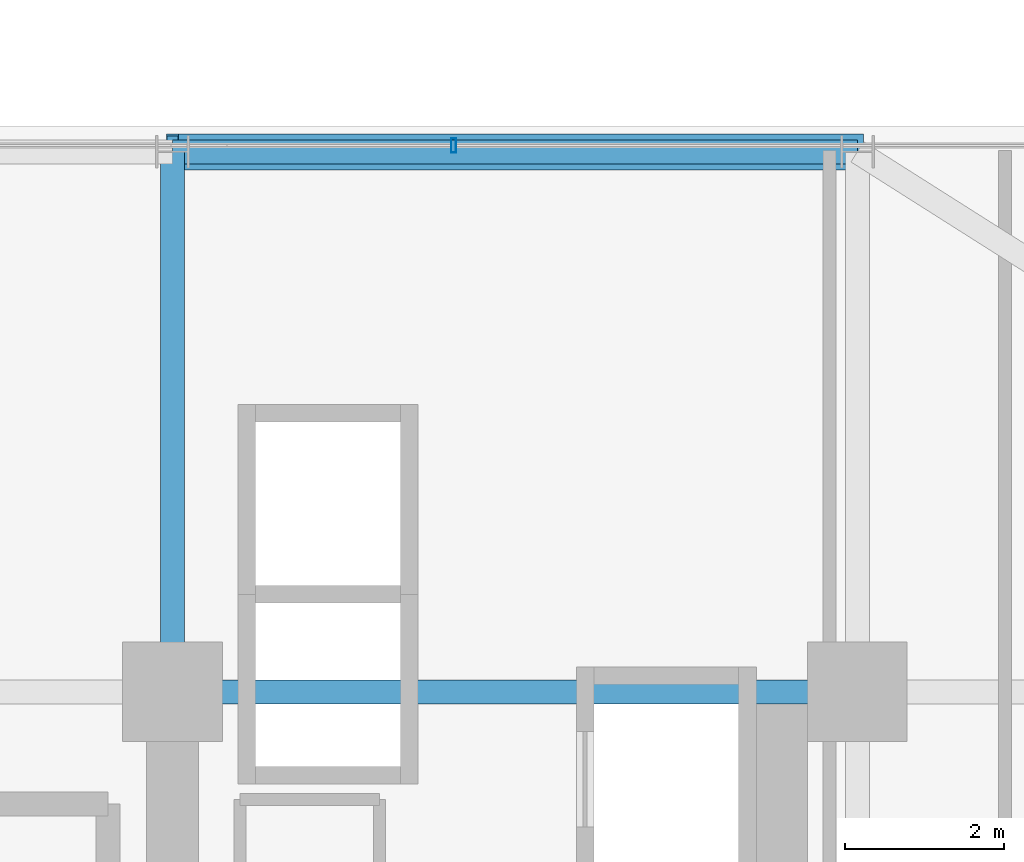
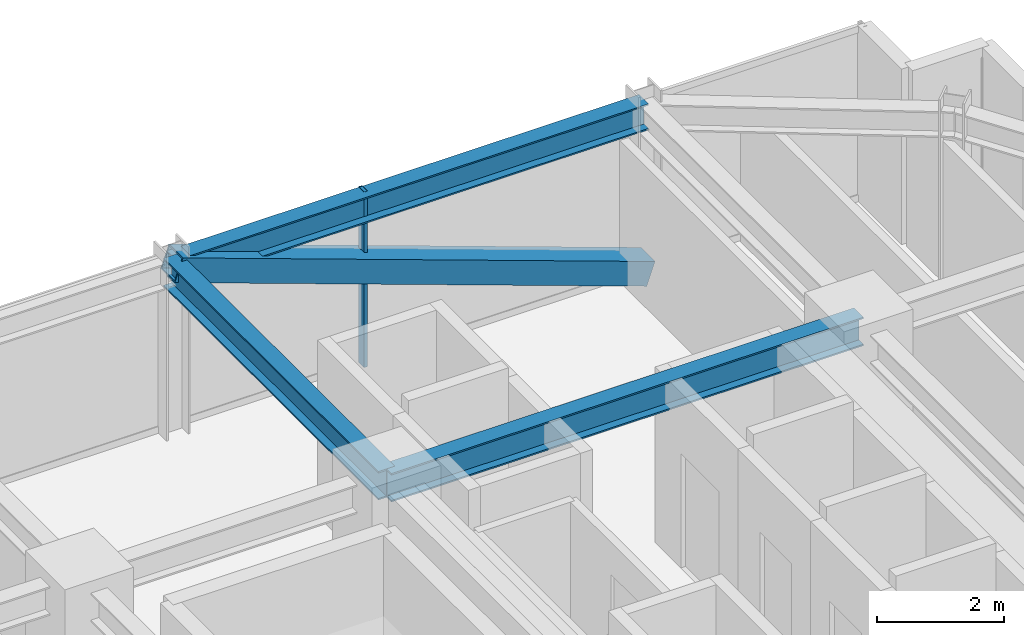
# One storey, part 24 of 41: 3 beams, 2 members, 1 element without a shape of its own.
"""IFC4 building model written with IfcOpenShell, lengths in metres."""

import ifcopenshell
import ifcopenshell.guid

model = None  # the IFC model being written
_history = None  # IfcOwnerHistory: only IFC2X3 demands one
_inside = {}  # id of a spatial element -> (the spatial element, [elements in it])
_under = {}  # id of a project, library or spatial element -> (it, [spatial elements below it])
_declared = {}  # id of a project -> (the project, [libraries it declares])
_typed = {}  # id of a type object -> (the type object, [elements of that type])
_made_of = {}  # id of a material, layer set ... -> (it, [elements and type objects made of it])


def new_model(schema):
    """Start an empty IFC model of exactly this schema.

    Asked for "IFC4X3", IfcOpenShell would pick the latest addendum, in which some entities
    have other attributes; the version numbers below select the first issue.
    IFC2X3 requires an IfcOwnerHistory on every rooted entity: one is made here for all.
    """
    global model, _history
    if schema == "IFC4X3":
        model = ifcopenshell.file(schema_version=(4, 3, 0, 0))
    else:
        model = ifcopenshell.file(schema=schema)
    _inside.clear()
    _under.clear()
    _declared.clear()
    _typed.clear()
    _made_of.clear()
    _history = None
    if model.schema == "IFC2X3":
        org = make("IfcOrganization", Name="unknown")
        user = make(
            "IfcPersonAndOrganization",
            ThePerson=make("IfcPerson", FamilyName="unknown"),
            TheOrganization=org,
        )
        app = make(
            "IfcApplication",
            ApplicationDeveloper=org,
            Version="unknown",
            ApplicationFullName="unknown",
            ApplicationIdentifier="unknown",
        )
        _history = make(
            "IfcOwnerHistory",
            OwningUser=user,
            OwningApplication=app,
            ChangeAction="ADDED",
            CreationDate=0,
        )
    return model


def make(cls, **values):
    """One entity of the class cls with the attributes given. An attribute that is None is left unset."""
    return model.create_entity(
        cls, **{name: value for name, value in values.items() if value is not None}
    )


def rooted(cls, **values):
    """An entity with a GlobalId (a new one), such as an element, a storey or a relation."""
    return make(cls, GlobalId=ifcopenshell.guid.new(), OwnerHistory=_history, **values)


def si_unit(unit_type, name, prefix=None):
    """IfcSIUnit, for example si_unit("LENGTHUNIT", "METRE", prefix="MILLI")."""
    return make("IfcSIUnit", UnitType=unit_type, Prefix=prefix, Name=name)


def assignment(units):
    """IfcUnitAssignment: the units of a project."""
    return None if units is None else make("IfcUnitAssignment", Units=units)


def point(xyz):
    """IfcCartesianPoint."""
    return None if xyz is None else make("IfcCartesianPoint", Coordinates=xyz)


def direction(xyz):
    """IfcDirection."""
    return None if xyz is None else make("IfcDirection", DirectionRatios=xyz)


def frame(location, z_axis=None, x_axis=None):
    """IfcAxis2Placement3D, a coordinate frame: its origin and axes. An axis left out is left unset."""
    return make(
        "IfcAxis2Placement3D",
        Location=point(location),
        Axis=direction(z_axis),
        RefDirection=direction(x_axis),
    )


def frame_2d(location, x_axis=None):
    """IfcAxis2Placement2D, a coordinate frame in the plane: its origin and x axis."""
    return make(
        "IfcAxis2Placement2D", Location=point(location), RefDirection=direction(x_axis)
    )


def origin():
    """The frame at (0, 0, 0) with its axes left unset."""
    return frame((0.0, 0.0, 0.0))


def origin_2d():
    """The frame at (0, 0) in the plane with its x axis left unset."""
    return frame_2d((0.0, 0.0))


def place(relative_to, where):
    """IfcLocalPlacement: puts the frame where relative to a parent placement (None: the world)."""
    return make(
        "IfcLocalPlacement", PlacementRelTo=relative_to, RelativePlacement=where
    )


def context(
    kind, dimensions, precision=None, world=None, true_north=None, identifier=None
):
    """IfcGeometricRepresentationContext, for example the 3D "Model" context."""
    return make(
        "IfcGeometricRepresentationContext",
        ContextIdentifier=identifier,
        ContextType=kind,
        CoordinateSpaceDimension=dimensions,
        Precision=precision,
        WorldCoordinateSystem=world,
        TrueNorth=true_north,
    )


def subcontext(parent, identifier, kind, view, scale=None):
    """IfcGeometricRepresentationSubContext, for example "Body" below "Model"."""
    return make(
        "IfcGeometricRepresentationSubContext",
        ContextIdentifier=identifier,
        ContextType=kind,
        ParentContext=parent,
        TargetScale=scale,
        TargetView=view,
    )


def project(units=None, contexts=None):
    """IfcProject with its units and contexts."""
    return rooted(
        "IfcProject",
        Name="project",
        RepresentationContexts=contexts,
        UnitsInContext=assignment(units),
    )


def spatial(cls, under=None, at=None, **own):
    """A site, building, storey or space (cls), placed at a placement, below another one or the project."""
    s = rooted(cls, ObjectPlacement=at, **own)
    if under is not None:
        _under.setdefault(under.id(), (under, []))[1].append(s)
    return s


def profile(cls, at=None, kind="AREA", **sizes):
    """A parametric profile (cls). Its sizes go by their IFC names, for example OverallWidth=200.0."""
    return make(cls, ProfileType=kind, Position=at, **sizes)


def hollow_rectangle(**sizes):
    """IfcRectangleHollowProfileDef."""
    return profile("IfcRectangleHollowProfileDef", **sizes)


def i_section(**sizes):
    """IfcIShapeProfileDef."""
    return profile("IfcIShapeProfileDef", **sizes)


def extrude(swept, where, along, depth):
    """IfcExtrudedAreaSolid: the profile swept, set in the frame where, extruded along a direction by depth."""
    return make(
        "IfcExtrudedAreaSolid",
        SweptArea=swept,
        Position=where,
        ExtrudedDirection=direction(along),
        Depth=depth,
    )


def shape(context_of_items, identifier, shape_type, items):
    """IfcShapeRepresentation: the items that make up one representation, for example the "Body"."""
    return make(
        "IfcShapeRepresentation",
        ContextOfItems=context_of_items,
        RepresentationIdentifier=identifier,
        RepresentationType=shape_type,
        Items=items,
    )


def source(mapping_origin, context_of_items, identifier, shape_type, items):
    """IfcRepresentationMap: a shape defined once, which mapped items show again and again."""
    return make(
        "IfcRepresentationMap",
        MappingOrigin=mapping_origin,
        MappedRepresentation=shape(context_of_items, identifier, shape_type, items),
    )


def transform(
    local_origin,
    x_axis=None,
    y_axis=None,
    z_axis=None,
    scale=None,
    scale2=None,
    scale3=None,
    uniform=True,
):
    """IfcCartesianTransformationOperator3D, or its non-uniform kind. x_axis, y_axis, z_axis: its Axis1, 2, 3."""
    if uniform:
        return make(
            "IfcCartesianTransformationOperator3D",
            Axis1=direction(x_axis),
            Axis2=direction(y_axis),
            LocalOrigin=point(local_origin),
            Scale=scale,
            Axis3=direction(z_axis),
        )
    return make(
        "IfcCartesianTransformationOperator3DnonUniform",
        Axis1=direction(x_axis),
        Axis2=direction(y_axis),
        LocalOrigin=point(local_origin),
        Scale=scale,
        Axis3=direction(z_axis),
        Scale2=scale2,
        Scale3=scale3,
    )


def mapped(mapping_source, mapping_target):
    """IfcMappedItem: shows the shape of a source again, moved by a transform."""
    return make(
        "IfcMappedItem", MappingSource=mapping_source, MappingTarget=mapping_target
    )


def material(Name=None, Category=None):
    """IfcMaterial."""
    return make("IfcMaterial", Name=Name, Category=Category)


def material_profile(
    of_material, cross_section, Name=None, Category=None, Priority=None
):
    """IfcMaterialProfile: a cross section and its material."""
    return make(
        "IfcMaterialProfile",
        Name=Name,
        Material=of_material,
        Profile=cross_section,
        Priority=Priority,
        Category=Category,
    )


def profile_set(profiles, Name=None, composite=None):
    """IfcMaterialProfileSet."""
    return make(
        "IfcMaterialProfileSet",
        Name=Name,
        MaterialProfiles=profiles,
        CompositeProfile=composite,
    )


def made_of(thing, what):
    """Note that an element or type object is made of a material, layer set ...; save() writes the relation."""
    if what is not None:
        _made_of.setdefault(what.id(), (what, []))[1].append(thing)
    return thing


def type_object(cls, material=None, **own):
    """A type object (cls), such as IfcWallType, which elements share."""
    return made_of(rooted(cls, **own), material)


def element(
    cls,
    number,
    at=None,
    inside=None,
    cuts=None,
    type_object=None,
    material=None,
    context=None,
    identifier="Body",
    shape_type=None,
    held_by="IfcProductDefinitionShape",
    body=None,
    shapes=None,
    **own,
):
    """One element of the class cls, such as IfcWall. Its Tag is "e" and its number.

    at: its placement. inside: the storey or other place that contains it. cuts: it is an
    opening in that element (IfcRelVoidsElement). A single representation is given by context,
    identifier, shape_type and body (its items); several are given by shapes. held_by: the class
    of the entity that holds the representations. save() writes the other relations.
    """
    e = rooted(cls, Tag="e%d" % number, ObjectPlacement=at, **own)
    if body is not None:
        shapes = [shape(context, identifier, shape_type, body)]
    if shapes is not None:
        e.Representation = make(held_by, Representations=shapes)
    if inside is not None:
        _inside.setdefault(inside.id(), (inside, []))[1].append(e)
    if cuts is not None:
        rooted(
            "IfcRelVoidsElement", RelatingBuildingElement=cuts, RelatedOpeningElement=e
        )
    if type_object is not None:
        _typed.setdefault(type_object.id(), (type_object, []))[1].append(e)
    return made_of(e, material)


def aggregate(whole, parts):
    """IfcRelAggregates: a whole, such as a stair, and the parts it consists of."""
    return rooted("IfcRelAggregates", RelatingObject=whole, RelatedObjects=parts)


def save(model, path):
    """Write the relations noted so far, then the file.

    IfcRelAggregates (storeys below a building ...), IfcRelContainedInSpatialStructure (elements
    in a storey), IfcRelDefinesByType, IfcRelAssociatesMaterial and IfcRelDeclares: one each for
    every whole, place, type object, material and project.
    """
    for whole, parts in _under.values():
        aggregate(whole, parts)
    for where, things in _inside.values():
        rooted(
            "IfcRelContainedInSpatialStructure",
            RelatedElements=things,
            RelatingStructure=where,
        )
    for kind, things in _typed.values():
        rooted("IfcRelDefinesByType", RelatedObjects=things, RelatingType=kind)
    for what, things in _made_of.values():
        rooted("IfcRelAssociatesMaterial", RelatedObjects=things, RelatingMaterial=what)
    for by, libraries in _declared.values():
        rooted("IfcRelDeclares", RelatingContext=by, RelatedDefinitions=libraries)
    model.write(path)


model = new_model("IFC4")

# Units and contexts
model_context = context("Model", 3, precision=1e-05, world=origin(), true_north=direction((0.0, 1.0)))
body_context = subcontext(model_context, "Body", "Model", "MODEL_VIEW")
ifc_project = project(units=[si_unit("LENGTHUNIT", "METRE"), si_unit("AREAUNIT", "SQUARE_METRE"), si_unit("VOLUMEUNIT", "CUBIC_METRE"), si_unit("PLANEANGLEUNIT", "RADIAN"), si_unit("MASSUNIT", "GRAM", prefix="KILO")], contexts=[model_context])

# Site, building, storey
site_placement = place(None, origin())
site = spatial("IfcSite", under=ifc_project, at=site_placement, CompositionType="ELEMENT")
building_placement = place(site_placement, origin())
building = spatial("IfcBuilding", under=site, at=building_placement, Name="Nahalor Promenade Grand Hotel", CompositionType="ELEMENT")
storey_placement = place(building_placement, frame((0.0, 0.0, 113.85009765625)))
storey = spatial("IfcBuildingStorey", under=building, at=storey_placement, Name="L28", CompositionType="ELEMENT", Elevation=113.85009765625)

# Beams
ifc_material_1 = material(Name="Steel S355JR", Category="steel")
ifc_material_profile_1 = material_profile(ifc_material_1, i_section(OverallWidth=0.3, OverallDepth=0.5, WebThickness=0.0145, FlangeThickness=0.028, at=origin_2d()), Name="HEB 500")
ifc_profile_set_1 = profile_set([ifc_material_profile_1], Name="Steel S355JR")
beam_type_1 = type_object("IfcBeamType", Name="Beam-Spandrel-HEB500", PredefinedType="SPANDREL", material=ifc_profile_set_1)
shared_shape_1 = source(origin(), body_context, "Body", "SweptSolid", [
    extrude(i_section(OverallWidth=0.3, OverallDepth=0.5, WebThickness=0.0145, FlangeThickness=0.028, at=origin_2d()), origin(), (0.0, 0.0, 1.0), 8.60009765625),
])
beam_1_placement = place(storey_placement, frame((8.39990234375, 23.780029296875, 3.1298828125), z_axis=(1.0, 0.0, 0.0), x_axis=(0.0, 1.0, 0.0)))
element("IfcBeam", 1, at=beam_1_placement, inside=storey, type_object=beam_type_1, Name="BM-L28-SP-N-4", PredefinedType="SPANDREL", context=body_context, shape_type="MappedRepresentation", body=[
    mapped(shared_shape_1, transform((0.0, 0.0, 0.0), scale=1.0)),
])
ifc_material_profile_2 = material_profile(ifc_material_1, i_section(OverallWidth=0.3, OverallDepth=0.55, WebThickness=0.015, FlangeThickness=0.029, at=origin_2d()), Name="HEB 550")
ifc_profile_set_2 = profile_set([ifc_material_profile_2], Name="Steel S355JR")
beam_type_2 = type_object("IfcBeamType", Name="Beam-Girder-HEB550", PredefinedType="BEAM", material=ifc_profile_set_2)
shared_shape_2 = source(origin(), body_context, "Body", "SweptSolid", [
    extrude(i_section(OverallWidth=0.3, OverallDepth=0.55, WebThickness=0.015, FlangeThickness=0.029, at=origin_2d()), origin(), (0.0, 0.0, 1.0), 6.780029296875),
])
beam_2_placement = place(storey_placement, frame((8.39990234375, 17.0, 3.10498046875), z_axis=(0.0, 1.0, 0.0), x_axis=(-1.0, 0.0, 0.0)))
element("IfcBeam", 2, at=beam_2_placement, inside=storey, type_object=beam_type_2, Name="BM-L28-GY-4-4", PredefinedType="BEAM", context=body_context, shape_type="MappedRepresentation", body=[
    mapped(shared_shape_2, transform((0.0, 0.0, 0.0), scale=1.0)),
])
shared_shape_3 = source(origin(), body_context, "Body", "SweptSolid", [
    extrude(i_section(OverallWidth=0.3, OverallDepth=0.55, WebThickness=0.015, FlangeThickness=0.029, at=origin_2d()), origin(), (0.0, 0.0, 1.0), 8.60009765625),
])
beam_3_placement = place(storey_placement, frame((8.39990234375, 17.0, 3.10498046875), z_axis=(1.0, 0.0, 0.0), x_axis=(0.0, 1.0, 0.0)))
element("IfcBeam", 3, at=beam_3_placement, inside=storey, type_object=beam_type_2, Name="BM-L28-GX-3-5", PredefinedType="BEAM", context=body_context, shape_type="MappedRepresentation", body=[
    mapped(shared_shape_3, transform((0.0, 0.0, 0.0), scale=1.0)),
])

# Member
ifc_material_2 = material(Name="Steel S355J2", Category="steel")
ifc_material_profile_3 = material_profile(ifc_material_2, hollow_rectangle(XDim=0.45, YDim=0.45, WallThickness=0.025, at=origin_2d()), Name="SHS 450x450x25")
ifc_profile_set_3 = profile_set([ifc_material_profile_3], Name="Steel S355J2")
member_type_1 = type_object("IfcMemberType", Name="Mem-ExoBrace-SHS450", PredefinedType="BRACE", material=ifc_profile_set_3)
shared_shape_4 = source(origin(), body_context, "Body", "SweptSolid", [
    extrude(hollow_rectangle(XDim=0.45, YDim=0.45, WallThickness=0.025, at=origin_2d()), origin(), (0.0, 0.0, 1.0), 9.135009765625),
])
member_1_placement = place(storey_placement, frame((17.0, 23.780029296875, 0.14990234375), z_axis=(-0.941442840152, 0.0, 0.337172624521), x_axis=(0.0, -1.0, 0.0)))
element("IfcMember", 4, at=member_1_placement, inside=storey, type_object=member_type_1, Name="EXO-L28-N-1", PredefinedType="BRACE", context=body_context, shape_type="MappedRepresentation", body=[
    mapped(shared_shape_4, transform((0.0, 0.0, 0.0), scale=1.0)),
])

# Curtain wall, member
ifc_material_3 = material(Name="Anodised Bronze Aluminium EN AW-6063 T6", Category="aluminium")
curtain_wall_type = type_object("IfcCurtainWallType", Name="CW2 Typical Hotel Flush Bronze Unitised Curtain Wall", PredefinedType="USERDEFINED", material=ifc_material_3)
curtain_wall_placement = place(storey_placement, origin())
curtain_wall = element("IfcCurtainWall", 5, at=curtain_wall_placement, inside=storey, type_object=curtain_wall_type, Name="L28 Curtain Wall CW-L28-N-3", ObjectType="UNITISED_CURTAIN_WALL", PredefinedType="USERDEFINED")
ifc_material_profile_4 = material_profile(ifc_material_3, hollow_rectangle(XDim=0.065, YDim=0.18, WallThickness=0.004, at=origin_2d()), Name="CWM 65x180x4")
ifc_profile_set_4 = profile_set([ifc_material_profile_4], Name="Anodised Bronze Aluminium EN AW-6063 T6")
member_type_2 = type_object("IfcMemberType", Name="CWM2 Typical Bronze Mullion 65x180", PredefinedType="MULLION", material=ifc_profile_set_4)
shared_shape_5 = source(origin(), body_context, "Body", "SweptSolid", [
    extrude(hollow_rectangle(XDim=0.065, YDim=0.18, WallThickness=0.004, at=origin_2d()), origin(), (0.0, 0.0, 1.0), 3.3798828125),
])
member_2_placement = place(storey_placement, frame((11.929931640625, 23.860107421875, 0.0), z_axis=(0.0, 0.0, 1.0), x_axis=(1.0, 0.0, 0.0)))
member_2 = element("IfcMember", 6, at=member_2_placement, type_object=member_type_2, Name="CW-L28-N-3 Mullion 1", PredefinedType="MULLION", context=body_context, shape_type="MappedRepresentation", body=[
    mapped(shared_shape_5, transform((0.0, 0.0, 0.0), scale=1.0)),
])
aggregate(curtain_wall, [member_2])

save(model, "model.ifc")
